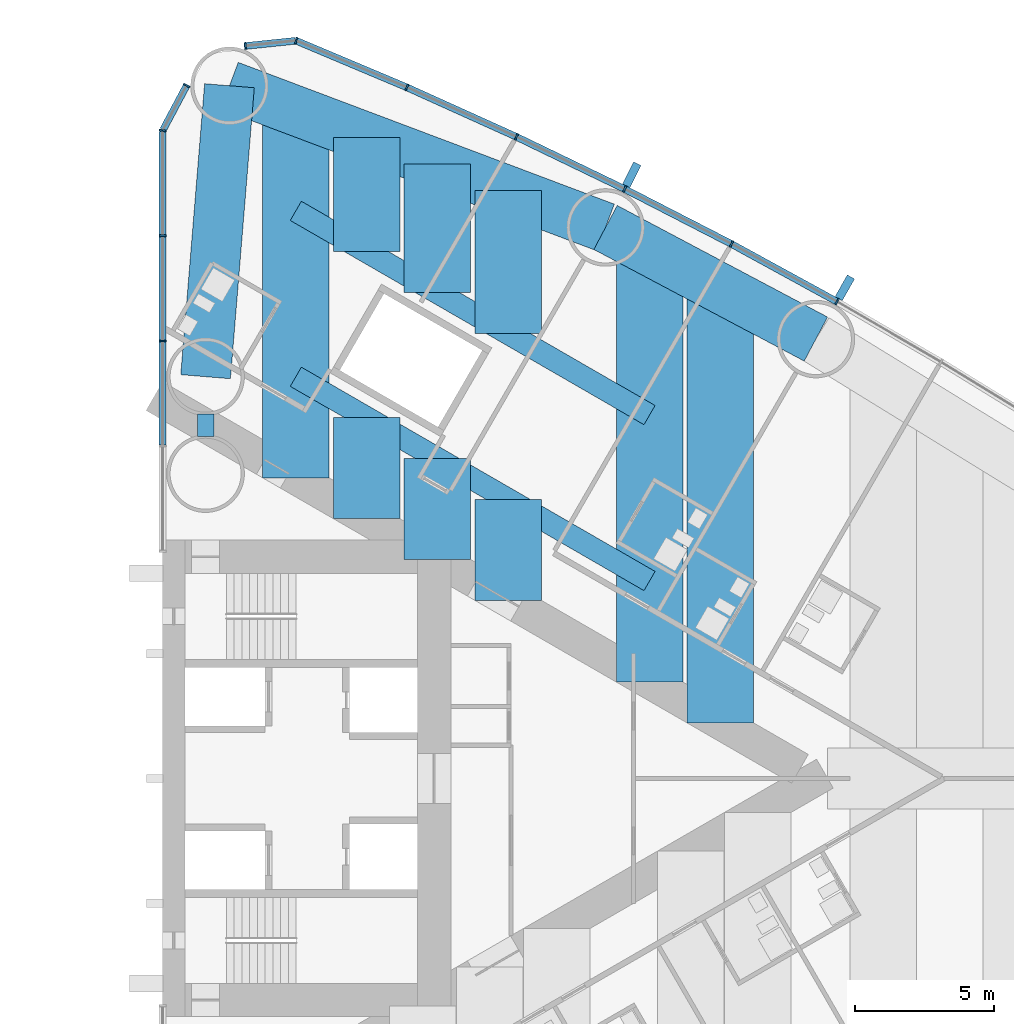
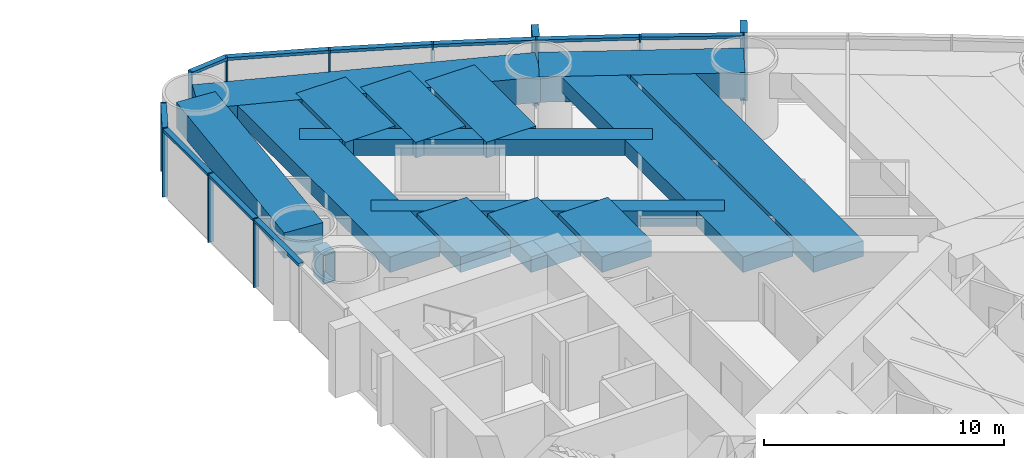
# One storey, part 7 of 19: 23 members, 15 beams, 2 elements without a shape of their own.
"""IFC4 building model written with IfcOpenShell, lengths in metres."""

from ifc_helpers import new_model, si_unit, direction, frame, origin, origin_2d, place, context, subcontext, project, spatial, rectangle, hollow_rectangle, extrude, material, material_profile, profile_set, type_object, element, aggregate, save


model = new_model("IFC4")

# Units and contexts
model_context = context("Model", 3, precision=1e-05, world=origin(), true_north=direction((0.0, 1.0)))
body_context = subcontext(model_context, "Body", "Model", "MODEL_VIEW")
ifc_project = project(units=[si_unit("LENGTHUNIT", "METRE"), si_unit("AREAUNIT", "SQUARE_METRE"), si_unit("VOLUMEUNIT", "CUBIC_METRE"), si_unit("PLANEANGLEUNIT", "RADIAN"), si_unit("MASSUNIT", "GRAM", prefix="KILO")], contexts=[model_context])

# Site, building, storey
site_placement = place(None, origin())
site = spatial("IfcSite", under=ifc_project, at=site_placement, CompositionType="ELEMENT")
building_placement = place(site_placement, origin())
building = spatial("IfcBuilding", under=site, at=building_placement, Name="Lancet Gate Hotel", CompositionType="ELEMENT")
storey_placement = place(building_placement, frame((0.0, 0.0, 28.5)))
storey = spatial("IfcBuildingStorey", under=building, at=storey_placement, Name="L06", CompositionType="ELEMENT", Elevation=28.5)

# Curtain wall, members
ifc_material_1 = material(Name="Aluminium curtain wall", Category="aluminium")
curtain_wall_type = type_object("IfcCurtainWallType", Name="Tower unitised curtain wall", PredefinedType="USERDEFINED", material=ifc_material_1)
curtain_wall_1_placement = place(storey_placement, origin())
curtain_wall_1 = element("IfcCurtainWall", 1, at=curtain_wall_1_placement, inside=storey, type_object=curtain_wall_type, Name="T2 L06 curtain wall 3", ObjectType="UNITISED CURTAIN WALL", PredefinedType="USERDEFINED")
ifc_material_2 = material(Name="Aluminium mullion", Category="aluminium")
ifc_material_profile_1 = material_profile(ifc_material_2, rectangle(XDim=0.06494140625, YDim=0.25, at=origin_2d()), Name="MULLION 65x250")
ifc_profile_set_1 = profile_set([ifc_material_profile_1], Name="Aluminium mullion")
member_type_1 = type_object("IfcMemberType", Name="Aluminium mullion 65x250", PredefinedType="MULLION", material=ifc_profile_set_1)
member_1_placement = place(storey_placement, frame((51.838623046875, 17.208740234375, 0.0), z_axis=(0.0, 0.0, 1.0), x_axis=(-0.871190450382, 0.490945209941, 0.0)))
member_1 = element("IfcMember", 2, at=member_1_placement, type_object=member_type_1, Name="T2 L06 curtain wall 3 mullion 8", PredefinedType="MULLION", context=body_context, shape_type="SweptSolid", body=[
    extrude(rectangle(XDim=0.06494140625, YDim=0.25, at=origin_2d()), origin(), (0.0, 0.0, 1.0), 3.5),
])
member_2_placement = place(storey_placement, frame((48.03271484375, 19.2900390625, 0.0), z_axis=(0.0, 0.0, 1.0), x_axis=(-0.88340346743, 0.468613181347, 0.0)))
member_2 = element("IfcMember", 3, at=member_2_placement, type_object=member_type_1, Name="T2 L06 curtain wall 3 mullion 9", PredefinedType="MULLION", context=body_context, shape_type="SweptSolid", body=[
    extrude(rectangle(XDim=0.06494140625, YDim=0.25, at=origin_2d()), origin(), (0.0, 0.0, 1.0), 3.5),
])
member_3_placement = place(storey_placement, frame((44.17529296875, 21.273681640625, 0.0), z_axis=(0.0, 0.0, 1.0), x_axis=(-0.895044147438, 0.445977548917, 0.0)))
member_3 = element("IfcMember", 4, at=member_3_placement, type_object=member_type_1, Name="T2 L06 curtain wall 3 mullion 10", PredefinedType="MULLION", context=body_context, shape_type="SweptSolid", body=[
    extrude(rectangle(XDim=0.06494140625, YDim=0.25, at=origin_2d()), origin(), (0.0, 0.0, 1.0), 3.5),
])
member_4_placement = place(storey_placement, frame((40.2685546875, 23.15869140625, 0.0), z_axis=(0.0, 0.0, 1.0), x_axis=(-0.906104948671, 0.423052977762, 0.0)))
member_4 = element("IfcMember", 5, at=member_4_placement, type_object=member_type_1, Name="T2 L06 curtain wall 3 mullion 11", PredefinedType="MULLION", context=body_context, shape_type="SweptSolid", body=[
    extrude(rectangle(XDim=0.06494140625, YDim=0.25, at=origin_2d()), origin(), (0.0, 0.0, 1.0), 3.5),
])
member_5_placement = place(storey_placement, frame((36.31494140625, 24.943603515625, 0.0), z_axis=(0.0, 0.0, 1.0), x_axis=(-0.916578705089, 0.399854320193, 0.0)))
member_5 = element("IfcMember", 6, at=member_5_placement, type_object=member_type_1, Name="T2 L06 curtain wall 3 mullion 12", PredefinedType="MULLION", context=body_context, shape_type="SweptSolid", body=[
    extrude(rectangle(XDim=0.06494140625, YDim=0.25, at=origin_2d()), origin(), (0.0, 0.0, 1.0), 3.5),
])
member_6_placement = place(storey_placement, frame((32.3173828125, 26.62744140625, 0.0), z_axis=(0.0, 0.0, 1.0), x_axis=(-0.968721492963, 0.248150496819, 0.0)))
member_6 = element("IfcMember", 7, at=member_6_placement, type_object=member_type_1, Name="T2 L06 curtain wall 3 mullion 13", PredefinedType="MULLION", context=body_context, shape_type="SweptSolid", body=[
    extrude(rectangle(XDim=0.06494140625, YDim=0.25, at=origin_2d()), origin(), (0.0, 0.0, 1.0), 3.5),
])
member_7_placement = place(storey_placement, frame((30.48388671875, 26.4375, 0.0), z_axis=(0.0, 0.0, 1.0), x_axis=(-0.994672262412, -0.10308778001, 0.0)))
member_7 = element("IfcMember", 8, at=member_7_placement, type_object=member_type_1, Name="T2 L06 curtain wall 3 mullion 14", PredefinedType="MULLION", context=body_context, shape_type="SweptSolid", body=[
    extrude(rectangle(XDim=0.06494140625, YDim=0.25, at=origin_2d()), origin(), (0.0, 0.0, 1.0), 3.5),
])

curtain_wall_2_placement = place(storey_placement, origin())
curtain_wall_2 = element("IfcCurtainWall", 9, at=curtain_wall_2_placement, inside=storey, type_object=curtain_wall_type, Name="T2 L06 curtain wall 4", ObjectType="UNITISED CURTAIN WALL", PredefinedType="USERDEFINED")
member_8_placement = place(storey_placement, frame((28.366455078125, 25.012451171875, 0.0), z_axis=(0.0, 0.0, 1.0), x_axis=(-0.469897827284, -0.882720811987, 0.0)))
member_8 = element("IfcMember", 10, at=member_8_placement, type_object=member_type_1, Name="T2 L06 curtain wall 4 mullion 1", PredefinedType="MULLION", context=body_context, shape_type="SweptSolid", body=[
    extrude(rectangle(XDim=0.06494140625, YDim=0.25, at=origin_2d()), origin(), (0.0, 0.0, 1.0), 3.5),
])
member_9_placement = place(storey_placement, frame((27.5, 23.384765625, 0.0), z_axis=(0.0, 0.0, 1.0), x_axis=(-0.157751691459, -0.987478811844, 0.0)))
member_9 = element("IfcMember", 11, at=member_9_placement, type_object=member_type_1, Name="T2 L06 curtain wall 4 mullion 2", PredefinedType="MULLION", context=body_context, shape_type="SweptSolid", body=[
    extrude(rectangle(XDim=0.06494140625, YDim=0.25, at=origin_2d()), origin(), (0.0, 0.0, 1.0), 3.5),
])
member_10_placement = place(storey_placement, frame((27.5, 19.588623046875, 0.0), z_axis=(0.0, 0.0, 1.0), x_axis=(0.0, -1.0, 0.0)))
member_10 = element("IfcMember", 12, at=member_10_placement, type_object=member_type_1, Name="T2 L06 curtain wall 4 mullion 3", PredefinedType="MULLION", context=body_context, shape_type="SweptSolid", body=[
    extrude(rectangle(XDim=0.06494140625, YDim=0.25, at=origin_2d()), origin(), (0.0, 0.0, 1.0), 3.5),
])
member_11_placement = place(storey_placement, frame((27.5, 15.79248046875, 0.0), z_axis=(0.0, 0.0, 1.0), x_axis=(0.0, -1.0, 0.0)))
member_11 = element("IfcMember", 13, at=member_11_placement, type_object=member_type_1, Name="T2 L06 curtain wall 4 mullion 4", PredefinedType="MULLION", context=body_context, shape_type="SweptSolid", body=[
    extrude(rectangle(XDim=0.06494140625, YDim=0.25, at=origin_2d()), origin(), (0.0, 0.0, 1.0), 3.5),
])

# Member
ifc_material_3 = material(Name="Aluminium transom", Category="aluminium")
ifc_material_profile_2 = material_profile(ifc_material_3, rectangle(XDim=0.25, YDim=0.14990234375, at=origin_2d()), Name="TRANSOM 250x150")
ifc_profile_set_2 = profile_set([ifc_material_profile_2], Name="Aluminium transom")
member_type_2 = type_object("IfcMemberType", Name="Aluminium transom 250x150", PredefinedType="USERDEFINED", material=ifc_profile_set_2)
member_12_placement = place(storey_placement, frame((51.81005859375, 17.224365234375, 3.425048828125), z_axis=(-0.877377528879, 0.479800658417, 0.0), x_axis=(-0.479800658417, -0.877377528879, 0.0)))
member_12 = element("IfcMember", 14, at=member_12_placement, type_object=member_type_2, Name="T2 L06 curtain wall 3 transom 8", ObjectType="TRANSOM", PredefinedType="USERDEFINED", context=body_context, shape_type="SweptSolid", body=[
    extrude(rectangle(XDim=0.25, YDim=0.14990234375, at=origin_2d()), origin(), (0.0, 0.0, 1.0), 4.272705078125),
])

member_13_placement = place(storey_placement, frame((48.00390625, 19.304931640625, 3.425048828125), z_axis=(-0.88929576978, 0.457332520002, 0.0), x_axis=(-0.457332520002, -0.88929576978, 0.0)))
member_13 = element("IfcMember", 15, at=member_13_placement, type_object=member_type_2, Name="T2 L06 curtain wall 3 transom 9", ObjectType="TRANSOM", PredefinedType="USERDEFINED", context=body_context, shape_type="SweptSolid", body=[
    extrude(rectangle(XDim=0.25, YDim=0.14990234375, at=origin_2d()), origin(), (0.0, 0.0, 1.0), 4.272705078125),
])

member_14_placement = place(storey_placement, frame((44.14599609375, 21.287841796875, 3.425048828125), z_axis=(-0.900646499888, 0.434552508035, 0.0), x_axis=(-0.434552508035, -0.900646499888, 0.0)))
member_14 = element("IfcMember", 16, at=member_14_placement, type_object=member_type_2, Name="T2 L06 curtain wall 3 transom 10", ObjectType="TRANSOM", PredefinedType="USERDEFINED", context=body_context, shape_type="SweptSolid", body=[
    extrude(rectangle(XDim=0.25, YDim=0.14990234375, at=origin_2d()), origin(), (0.0, 0.0, 1.0), 4.272705078125),
])

member_15_placement = place(storey_placement, frame((40.23876953125, 23.172119140625, 3.425048828125), z_axis=(-0.911396871737, 0.411528543589, 0.0), x_axis=(-0.411528543589, -0.911396871737, 0.0)))
member_15 = element("IfcMember", 17, at=member_15_placement, type_object=member_type_2, Name="T2 L06 curtain wall 3 transom 11", ObjectType="TRANSOM", PredefinedType="USERDEFINED", context=body_context, shape_type="SweptSolid", body=[
    extrude(rectangle(XDim=0.25, YDim=0.14990234375, at=origin_2d()), origin(), (0.0, 0.0, 1.0), 4.272705078125),
])

member_16_placement = place(storey_placement, frame((36.28515625, 24.956298828125, 3.425048828125), z_axis=(-0.92159772617, 0.388146404233, 0.0), x_axis=(-0.388146404233, -0.92159772617, 0.0)))
member_16 = element("IfcMember", 18, at=member_16_placement, type_object=member_type_2, Name="T2 L06 curtain wall 3 transom 12", ObjectType="TRANSOM", PredefinedType="USERDEFINED", context=body_context, shape_type="SweptSolid", body=[
    extrude(rectangle(XDim=0.25, YDim=0.14990234375, at=origin_2d()), origin(), (0.0, 0.0, 1.0), 4.272705078125),
])

member_17_placement = place(storey_placement, frame((32.28515625, 26.6240234375, 3.425048828125), z_axis=(-0.994670452051, -0.103105246306, 0.0), x_axis=(0.103105246306, -0.994670452051, 0.0)))
member_17 = element("IfcMember", 19, at=member_17_placement, type_object=member_type_2, Name="T2 L06 curtain wall 3 transom 13", ObjectType="TRANSOM", PredefinedType="USERDEFINED", context=body_context, shape_type="SweptSolid", body=[
    extrude(rectangle(XDim=0.25, YDim=0.14990234375, at=origin_2d()), origin(), (0.0, 0.0, 1.0), 1.7783203125),
])

member_18_placement = place(storey_placement, frame((28.351318359375, 24.98388671875, 3.425048828125), z_axis=(-0.469904276347, -0.882717378933, 0.0), x_axis=(0.882717378933, -0.469904276347, 0.0)))
member_18 = element("IfcMember", 20, at=member_18_placement, type_object=member_type_2, Name="T2 L06 curtain wall 4 transom 1", ObjectType="TRANSOM", PredefinedType="USERDEFINED", context=body_context, shape_type="SweptSolid", body=[
    extrude(rectangle(XDim=0.25, YDim=0.14990234375, at=origin_2d()), origin(), (0.0, 0.0, 1.0), 1.779052734375),
])

member_19_placement = place(storey_placement, frame((27.5, 23.352294921875, 3.425048828125), z_axis=(0.0, -1.0, 0.0), x_axis=(1.0, 0.0, 0.0)))
member_19 = element("IfcMember", 21, at=member_19_placement, type_object=member_type_2, Name="T2 L06 curtain wall 4 transom 2", ObjectType="TRANSOM", PredefinedType="USERDEFINED", context=body_context, shape_type="SweptSolid", body=[
    extrude(rectangle(XDim=0.25, YDim=0.14990234375, at=origin_2d()), origin(), (0.0, 0.0, 1.0), 3.731201171875),
])

member_20_placement = place(storey_placement, frame((27.5, 19.55615234375, 3.425048828125), z_axis=(0.0, -1.0, 0.0), x_axis=(1.0, 0.0, 0.0)))
member_20 = element("IfcMember", 22, at=member_20_placement, type_object=member_type_2, Name="T2 L06 curtain wall 4 transom 3", ObjectType="TRANSOM", PredefinedType="USERDEFINED", context=body_context, shape_type="SweptSolid", body=[
    extrude(rectangle(XDim=0.25, YDim=0.14990234375, at=origin_2d()), origin(), (0.0, 0.0, 1.0), 3.731201171875),
])

member_21_placement = place(storey_placement, frame((27.5, 15.760009765625, 3.425048828125), z_axis=(0.0, -1.0, 0.0), x_axis=(1.0, 0.0, 0.0)))
member_21 = element("IfcMember", 23, at=member_21_placement, type_object=member_type_2, Name="T2 L06 curtain wall 4 transom 4", ObjectType="TRANSOM", PredefinedType="USERDEFINED", context=body_context, shape_type="SweptSolid", body=[
    extrude(rectangle(XDim=0.25, YDim=0.14990234375, at=origin_2d()), origin(), (0.0, 0.0, 1.0), 3.731201171875),
])

aggregate(curtain_wall_2, [member_8, member_9, member_10, member_11, member_18, member_19, member_20, member_21])

# Beams
ifc_material_4 = material(Name="Concrete C50/60", Category="concrete")
ifc_material_profile_3 = material_profile(ifc_material_4, rectangle(XDim=1.800048828125, YDim=1.300048828125, at=origin_2d()), Name="RC 1800x1300")
ifc_profile_set_3 = profile_set([ifc_material_profile_3], Name="Concrete C50/60")
beam_type_1 = type_object("IfcBeamType", Name="Edge beam RC 1800x1300", PredefinedType="SPANDREL", material=ifc_profile_set_3)
beam_1_placement = place(storey_placement, frame((51.07763671875, 15.8583984375, 2.60009765625), z_axis=(-0.883403493655, 0.46861313191, 0.0), x_axis=(-0.46861313191, -0.883403493655, 0.0)))
element("IfcBeam", 24, at=beam_1_placement, inside=storey, type_object=beam_type_1, Name="T2 edge beam EB1 L06", PredefinedType="SPANDREL", context=body_context, shape_type="SweptSolid", body=[
    extrude(rectangle(XDim=1.800048828125, YDim=1.300048828125, at=origin_2d()), origin(), (0.0, 0.0, 1.0), 8.595703125),
])
beam_2_placement = place(storey_placement, frame((43.484130859375, 19.886474609375, 2.60009765625), z_axis=(-0.935736448066, 0.352700013836, 0.0), x_axis=(-0.352700013836, -0.935736448066, 0.0)))
element("IfcBeam", 25, at=beam_2_placement, inside=storey, type_object=beam_type_1, Name="T2 edge beam EB1 L06", PredefinedType="SPANDREL", context=body_context, shape_type="SweptSolid", body=[
    extrude(rectangle(XDim=1.800048828125, YDim=1.300048828125, at=origin_2d()), origin(), (0.0, 0.0, 1.0), 14.505126953125),
])
beam_3_placement = place(storey_placement, frame((29.050048828125, 14.5, 2.60009765625), z_axis=(0.081714744052, 0.996655758326, 0.0), x_axis=(-0.996655758326, 0.081714744052, 0.0)))
element("IfcBeam", 26, at=beam_3_placement, inside=storey, type_object=beam_type_1, Name="T2 edge beam EB1 L06", PredefinedType="SPANDREL", context=body_context, shape_type="SweptSolid", body=[
    extrude(rectangle(XDim=1.800048828125, YDim=1.300048828125, at=origin_2d()), origin(), (0.0, 0.0, 1.0), 10.53759765625),
])

# Member
ifc_material_5 = material(Name="Precast concrete C50/60", Category="concrete")
ifc_material_profile_4 = material_profile(ifc_material_5, rectangle(XDim=0.300048828125, YDim=0.89990234375, at=origin_2d()), Name="FIN 300x900")
ifc_profile_set_4 = profile_set([ifc_material_profile_4], Name="Precast concrete C50/60")
member_type_3 = type_object("IfcMemberType", Name="Exposed concrete fin 300x900", PredefinedType="USERDEFINED", material=ifc_profile_set_4)
member_22_placement = place(storey_placement, frame((52.120849609375, 17.709716796875, 0.0), z_axis=(0.0, 0.0, 1.0), x_axis=(-0.871190450382, 0.490945209941, 0.0)))
member_22 = element("IfcMember", 27, at=member_22_placement, type_object=member_type_3, Name="T2 L06 curtain wall 3 fin 8", ObjectType="FIN", PredefinedType="USERDEFINED", context=body_context, shape_type="SweptSolid", body=[
    extrude(rectangle(XDim=0.300048828125, YDim=0.89990234375, at=origin_2d()), origin(), (0.0, 0.0, 1.0), 3.5),
])

member_23_placement = place(storey_placement, frame((44.431640625, 21.788330078125, 0.0), z_axis=(0.0, 0.0, 1.0), x_axis=(-0.895044147438, 0.445977548917, 0.0)))
member_23 = element("IfcMember", 28, at=member_23_placement, type_object=member_type_3, Name="T2 L06 curtain wall 3 fin 10", ObjectType="FIN", PredefinedType="USERDEFINED", context=body_context, shape_type="SweptSolid", body=[
    extrude(rectangle(XDim=0.300048828125, YDim=0.89990234375, at=origin_2d()), origin(), (0.0, 0.0, 1.0), 3.5),
])

aggregate(curtain_wall_1, [member_1, member_22, member_2, member_3, member_23, member_4, member_5, member_6, member_7, member_12, member_13, member_14, member_15, member_16, member_17])

# Beams
ifc_material_6 = material(Name="Concrete C50/60", Category="concrete")
ifc_material_profile_5 = material_profile(ifc_material_6, rectangle(XDim=2.39990234375, YDim=0.800048828125, at=origin_2d()), Name="RC 2400x800")
ifc_profile_set_5 = profile_set([ifc_material_profile_5], Name="Concrete C50/60")
beam_type_2 = type_object("IfcBeamType", Name="Floor beam RC 2400x800", PredefinedType="BEAM", material=ifc_profile_set_5)
beam_4_placement = place(storey_placement, frame((32.306396484375, 10.851806640625, 2.85009765625), z_axis=(0.0, 1.0, 0.0), x_axis=(-1.0, 0.0, 0.0)))
element("IfcBeam", 29, at=beam_4_placement, inside=storey, type_object=beam_type_2, Name="T2 floor beam F04N L06", PredefinedType="BEAM", context=body_context, shape_type="SweptSolid", body=[
    extrude(rectangle(XDim=2.39990234375, YDim=0.800048828125, at=origin_2d()), origin(), (0.0, 0.0, 1.0), 13.247802734375),
])
beam_5_placement = place(storey_placement, frame((45.072265625, 3.4814453125, 2.85009765625), z_axis=(0.0, 1.0, 0.0), x_axis=(-1.0, 0.0, 0.0)))
element("IfcBeam", 30, at=beam_5_placement, inside=storey, type_object=beam_type_2, Name="T2 floor beam F12N L06", PredefinedType="BEAM", context=body_context, shape_type="SweptSolid", body=[
    extrude(rectangle(XDim=2.39990234375, YDim=0.800048828125, at=origin_2d()), origin(), (0.0, 0.0, 1.0), 15.5625),
])
beam_6_placement = place(storey_placement, frame((47.62548828125, 2.00732421875, 2.85009765625), z_axis=(0.0, 1.0, 0.0), x_axis=(-1.0, 0.0, 0.0)))
element("IfcBeam", 31, at=beam_6_placement, inside=storey, type_object=beam_type_2, Name="T2 floor beam F14N L06", PredefinedType="BEAM", context=body_context, shape_type="SweptSolid", body=[
    extrude(rectangle(XDim=2.39990234375, YDim=0.800048828125, at=origin_2d()), origin(), (0.0, 0.0, 1.0), 15.68212890625),
])
beam_7_placement = place(storey_placement, frame((34.859619140625, 9.377685546875, 2.85009765625), z_axis=(0.0, 1.0, 0.0), x_axis=(-1.0, 0.0, 0.0)))
element("IfcBeam", 32, at=beam_7_placement, inside=storey, type_object=beam_type_2, Name="T2 floor beam F06NA L06", PredefinedType="BEAM", context=body_context, shape_type="SweptSolid", body=[
    extrude(rectangle(XDim=2.39990234375, YDim=0.800048828125, at=origin_2d()), origin(), (0.0, 0.0, 1.0), 3.645751953125),
])
beam_8_placement = place(storey_placement, frame((34.859619140625, 19.011474609375, 2.85009765625), z_axis=(0.0, 1.0, 0.0), x_axis=(-1.0, 0.0, 0.0)))
element("IfcBeam", 33, at=beam_8_placement, inside=storey, type_object=beam_type_2, Name="T2 floor beam F06NB L06", PredefinedType="BEAM", context=body_context, shape_type="SweptSolid", body=[
    extrude(rectangle(XDim=2.39990234375, YDim=0.800048828125, at=origin_2d()), origin(), (0.0, 0.0, 1.0), 4.125732421875),
])
beam_9_placement = place(storey_placement, frame((37.412841796875, 7.903564453125, 2.85009765625), z_axis=(0.0, 1.0, 0.0), x_axis=(-1.0, 0.0, 0.0)))
element("IfcBeam", 34, at=beam_9_placement, inside=storey, type_object=beam_type_2, Name="T2 floor beam F08NA L06", PredefinedType="BEAM", context=body_context, shape_type="SweptSolid", body=[
    extrude(rectangle(XDim=2.39990234375, YDim=0.800048828125, at=origin_2d()), origin(), (0.0, 0.0, 1.0), 3.6455078125),
])
beam_10_placement = place(storey_placement, frame((37.412841796875, 17.537109375, 2.85009765625), z_axis=(0.0, 1.0, 0.0), x_axis=(-1.0, 0.0, 0.0)))
element("IfcBeam", 35, at=beam_10_placement, inside=storey, type_object=beam_type_2, Name="T2 floor beam F08NB L06", PredefinedType="BEAM", context=body_context, shape_type="SweptSolid", body=[
    extrude(rectangle(XDim=2.39990234375, YDim=0.800048828125, at=origin_2d()), origin(), (0.0, 0.0, 1.0), 4.6376953125),
])
beam_11_placement = place(storey_placement, frame((39.9658203125, 6.429443359375, 2.85009765625), z_axis=(0.0, 1.0, 0.0), x_axis=(-1.0, 0.0, 0.0)))
element("IfcBeam", 36, at=beam_11_placement, inside=storey, type_object=beam_type_2, Name="T2 floor beam F10NA L06", PredefinedType="BEAM", context=body_context, shape_type="SweptSolid", body=[
    extrude(rectangle(XDim=2.39990234375, YDim=0.800048828125, at=origin_2d()), origin(), (0.0, 0.0, 1.0), 3.64501953125),
])
beam_12_placement = place(storey_placement, frame((39.9658203125, 16.062744140625, 2.85009765625), z_axis=(0.0, 1.0, 0.0), x_axis=(-1.0, 0.0, 0.0)))
element("IfcBeam", 37, at=beam_12_placement, inside=storey, type_object=beam_type_2, Name="T2 floor beam F10NB L06", PredefinedType="BEAM", context=body_context, shape_type="SweptSolid", body=[
    extrude(rectangle(XDim=2.39990234375, YDim=0.800048828125, at=origin_2d()), origin(), (0.0, 0.0, 1.0), 5.14990234375),
])
ifc_material_7 = material(Name="Steel S460QL", Category="steel")
ifc_material_profile_6 = material_profile(ifc_material_7, hollow_rectangle(XDim=0.60009765625, YDim=1.5, WallThickness=0.050048828125, at=origin_2d()), Name="BOX 1500x600x50")
ifc_profile_set_6 = profile_set([ifc_material_profile_6], Name="Steel S460QL")
beam_type_3 = type_object("IfcBeamType", Name="Inner-face link beam BOX 1500x600x50", PredefinedType="BEAM", material=ifc_profile_set_6)
beam_13_placement = place(storey_placement, frame((29.050048828125, 12.35009765625, 2.5), z_axis=(0.0, 1.0, 0.0), x_axis=(-1.0, 0.0, 0.0)))
element("IfcBeam", 38, at=beam_13_placement, inside=storey, type_object=beam_type_3, Name="T2 inner-face link beam LK1 L06", PredefinedType="BEAM", context=body_context, shape_type="SweptSolid", body=[
    extrude(hollow_rectangle(XDim=0.60009765625, YDim=1.5, WallThickness=0.050048828125, at=origin_2d()), origin(), (0.0, 0.0, 1.0), 0.7998046875),
])
ifc_material_8 = material(Name="Steel S460QL", Category="steel")
ifc_material_profile_7 = material_profile(ifc_material_8, hollow_rectangle(XDim=0.800048828125, YDim=0.800048828125, WallThickness=0.080078125, at=origin_2d()), Name="BOX 800x800x80")
ifc_profile_set_7 = profile_set([ifc_material_profile_7], Name="Steel S460QL")
beam_type_4 = type_object("IfcBeamType", Name="Trimmer beam BOX 800x800x80", PredefinedType="BEAM", material=ifc_profile_set_7)
beam_14_placement = place(storey_placement, frame((32.306396484375, 20.48583984375, 2.85009765625), z_axis=(0.86598286195, -0.500073677381, 0.0), x_axis=(0.500073677381, 0.86598286195, 0.0)))
element("IfcBeam", 39, at=beam_14_placement, inside=storey, type_object=beam_type_4, Name="T2 trimmer beam TR03N L06", PredefinedType="BEAM", context=body_context, shape_type="SweptSolid", body=[
    extrude(hollow_rectangle(XDim=0.800048828125, YDim=0.800048828125, WallThickness=0.080078125, at=origin_2d()), origin(), (0.0, 0.0, 1.0), 14.741455078125),
])
beam_15_placement = place(storey_placement, frame((32.306396484375, 14.497802734375, 2.85009765625), z_axis=(0.865975689888, -0.500086097111, 0.0), x_axis=(0.500086097111, 0.865975689888, 0.0)))
element("IfcBeam", 40, at=beam_15_placement, inside=storey, type_object=beam_type_4, Name="T2 trimmer beam TR04N L06", PredefinedType="BEAM", context=body_context, shape_type="SweptSolid", body=[
    extrude(hollow_rectangle(XDim=0.800048828125, YDim=0.800048828125, WallThickness=0.080078125, at=origin_2d()), origin(), (0.0, 0.0, 1.0), 14.74169921875),
])

save(model, "model.ifc")
